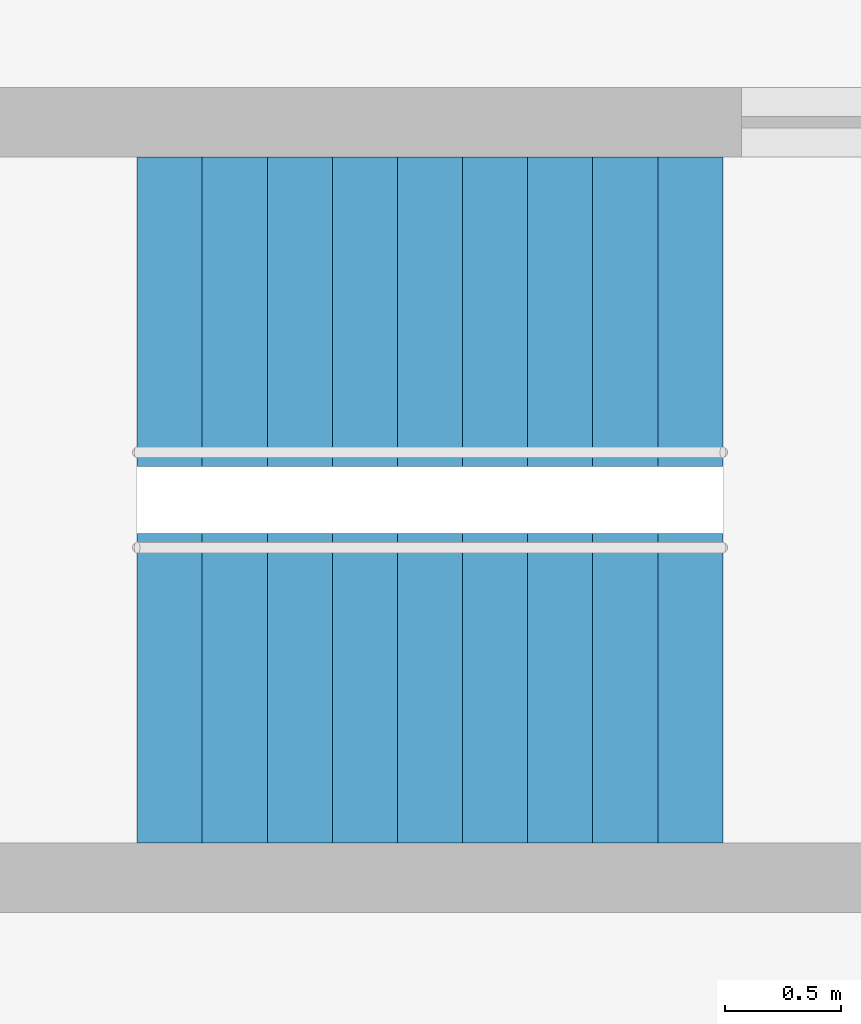
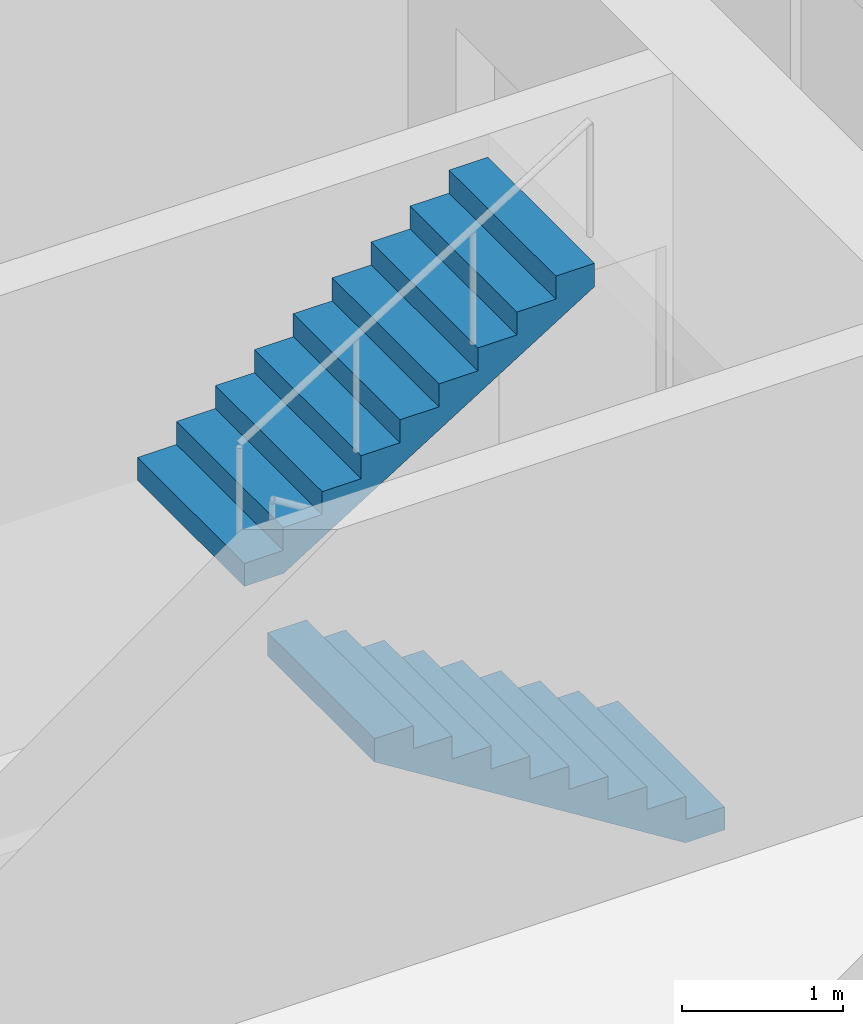
# One storey, part 9 of 10: 2 stair flights, 1 element without a shape of its own.
"""IFC4 building model written with IfcOpenShell, lengths in metres."""

import ifcopenshell
import ifcopenshell.guid

model = None  # the IFC model being written
_history = None  # IfcOwnerHistory: only IFC2X3 demands one
_inside = {}  # id of a spatial element -> (the spatial element, [elements in it])
_under = {}  # id of a project, library or spatial element -> (it, [spatial elements below it])
_declared = {}  # id of a project -> (the project, [libraries it declares])
_typed = {}  # id of a type object -> (the type object, [elements of that type])
_made_of = {}  # id of a material, layer set ... -> (it, [elements and type objects made of it])


def new_model(schema):
    """Start an empty IFC model of exactly this schema.

    Asked for "IFC4X3", IfcOpenShell would pick the latest addendum, in which some entities
    have other attributes; the version numbers below select the first issue.
    IFC2X3 requires an IfcOwnerHistory on every rooted entity: one is made here for all.
    """
    global model, _history
    if schema == "IFC4X3":
        model = ifcopenshell.file(schema_version=(4, 3, 0, 0))
    else:
        model = ifcopenshell.file(schema=schema)
    _inside.clear()
    _under.clear()
    _declared.clear()
    _typed.clear()
    _made_of.clear()
    _history = None
    if model.schema == "IFC2X3":
        org = make("IfcOrganization", Name="unknown")
        user = make(
            "IfcPersonAndOrganization",
            ThePerson=make("IfcPerson", FamilyName="unknown"),
            TheOrganization=org,
        )
        app = make(
            "IfcApplication",
            ApplicationDeveloper=org,
            Version="unknown",
            ApplicationFullName="unknown",
            ApplicationIdentifier="unknown",
        )
        _history = make(
            "IfcOwnerHistory",
            OwningUser=user,
            OwningApplication=app,
            ChangeAction="ADDED",
            CreationDate=0,
        )
    return model


def make(cls, **values):
    """One entity of the class cls with the attributes given. An attribute that is None is left unset."""
    return model.create_entity(
        cls, **{name: value for name, value in values.items() if value is not None}
    )


def rooted(cls, **values):
    """An entity with a GlobalId (a new one), such as an element, a storey or a relation."""
    return make(cls, GlobalId=ifcopenshell.guid.new(), OwnerHistory=_history, **values)


def si_unit(unit_type, name, prefix=None):
    """IfcSIUnit, for example si_unit("LENGTHUNIT", "METRE", prefix="MILLI")."""
    return make("IfcSIUnit", UnitType=unit_type, Prefix=prefix, Name=name)


def assignment(units):
    """IfcUnitAssignment: the units of a project."""
    return None if units is None else make("IfcUnitAssignment", Units=units)


def point(xyz):
    """IfcCartesianPoint."""
    return None if xyz is None else make("IfcCartesianPoint", Coordinates=xyz)


def direction(xyz):
    """IfcDirection."""
    return None if xyz is None else make("IfcDirection", DirectionRatios=xyz)


def frame(location, z_axis=None, x_axis=None):
    """IfcAxis2Placement3D, a coordinate frame: its origin and axes. An axis left out is left unset."""
    return make(
        "IfcAxis2Placement3D",
        Location=point(location),
        Axis=direction(z_axis),
        RefDirection=direction(x_axis),
    )


def origin():
    """The frame at (0, 0, 0) with its axes left unset."""
    return frame((0.0, 0.0, 0.0))


def place(relative_to, where):
    """IfcLocalPlacement: puts the frame where relative to a parent placement (None: the world)."""
    return make(
        "IfcLocalPlacement", PlacementRelTo=relative_to, RelativePlacement=where
    )


def context(
    kind, dimensions, precision=None, world=None, true_north=None, identifier=None
):
    """IfcGeometricRepresentationContext, for example the 3D "Model" context."""
    return make(
        "IfcGeometricRepresentationContext",
        ContextIdentifier=identifier,
        ContextType=kind,
        CoordinateSpaceDimension=dimensions,
        Precision=precision,
        WorldCoordinateSystem=world,
        TrueNorth=true_north,
    )


def subcontext(parent, identifier, kind, view, scale=None):
    """IfcGeometricRepresentationSubContext, for example "Body" below "Model"."""
    return make(
        "IfcGeometricRepresentationSubContext",
        ContextIdentifier=identifier,
        ContextType=kind,
        ParentContext=parent,
        TargetScale=scale,
        TargetView=view,
    )


def project(units=None, contexts=None):
    """IfcProject with its units and contexts."""
    return rooted(
        "IfcProject",
        Name="project",
        RepresentationContexts=contexts,
        UnitsInContext=assignment(units),
    )


def spatial(cls, under=None, at=None, **own):
    """A site, building, storey or space (cls), placed at a placement, below another one or the project."""
    s = rooted(cls, ObjectPlacement=at, **own)
    if under is not None:
        _under.setdefault(under.id(), (under, []))[1].append(s)
    return s


def polyline(points):
    """IfcPolyline through the points."""
    return make("IfcPolyline", Points=[point(p) for p in points])


def outline(outer, holes=None, kind="AREA"):
    """IfcArbitraryClosedProfileDef: a profile drawn as a closed curve; with holes, ...WithVoids."""
    if holes is None:
        return make("IfcArbitraryClosedProfileDef", ProfileType=kind, OuterCurve=outer)
    return make(
        "IfcArbitraryProfileDefWithVoids",
        ProfileType=kind,
        OuterCurve=outer,
        InnerCurves=holes,
    )


def extrude(swept, where, along, depth):
    """IfcExtrudedAreaSolid: the profile swept, set in the frame where, extruded along a direction by depth."""
    return make(
        "IfcExtrudedAreaSolid",
        SweptArea=swept,
        Position=where,
        ExtrudedDirection=direction(along),
        Depth=depth,
    )


def shape(context_of_items, identifier, shape_type, items):
    """IfcShapeRepresentation: the items that make up one representation, for example the "Body"."""
    return make(
        "IfcShapeRepresentation",
        ContextOfItems=context_of_items,
        RepresentationIdentifier=identifier,
        RepresentationType=shape_type,
        Items=items,
    )


def material(Name=None, Category=None):
    """IfcMaterial."""
    return make("IfcMaterial", Name=Name, Category=Category)


def made_of(thing, what):
    """Note that an element or type object is made of a material, layer set ...; save() writes the relation."""
    if what is not None:
        _made_of.setdefault(what.id(), (what, []))[1].append(thing)
    return thing


def type_object(cls, material=None, **own):
    """A type object (cls), such as IfcWallType, which elements share."""
    return made_of(rooted(cls, **own), material)


def element(
    cls,
    number,
    at=None,
    inside=None,
    cuts=None,
    type_object=None,
    material=None,
    context=None,
    identifier="Body",
    shape_type=None,
    held_by="IfcProductDefinitionShape",
    body=None,
    shapes=None,
    **own,
):
    """One element of the class cls, such as IfcWall. Its Tag is "e" and its number.

    at: its placement. inside: the storey or other place that contains it. cuts: it is an
    opening in that element (IfcRelVoidsElement). A single representation is given by context,
    identifier, shape_type and body (its items); several are given by shapes. held_by: the class
    of the entity that holds the representations. save() writes the other relations.
    """
    e = rooted(cls, Tag="e%d" % number, ObjectPlacement=at, **own)
    if body is not None:
        shapes = [shape(context, identifier, shape_type, body)]
    if shapes is not None:
        e.Representation = make(held_by, Representations=shapes)
    if inside is not None:
        _inside.setdefault(inside.id(), (inside, []))[1].append(e)
    if cuts is not None:
        rooted(
            "IfcRelVoidsElement", RelatingBuildingElement=cuts, RelatedOpeningElement=e
        )
    if type_object is not None:
        _typed.setdefault(type_object.id(), (type_object, []))[1].append(e)
    return made_of(e, material)


def aggregate(whole, parts):
    """IfcRelAggregates: a whole, such as a stair, and the parts it consists of."""
    return rooted("IfcRelAggregates", RelatingObject=whole, RelatedObjects=parts)


def save(model, path):
    """Write the relations noted so far, then the file.

    IfcRelAggregates (storeys below a building ...), IfcRelContainedInSpatialStructure (elements
    in a storey), IfcRelDefinesByType, IfcRelAssociatesMaterial and IfcRelDeclares: one each for
    every whole, place, type object, material and project.
    """
    for whole, parts in _under.values():
        aggregate(whole, parts)
    for where, things in _inside.values():
        rooted(
            "IfcRelContainedInSpatialStructure",
            RelatedElements=things,
            RelatingStructure=where,
        )
    for kind, things in _typed.values():
        rooted("IfcRelDefinesByType", RelatedObjects=things, RelatingType=kind)
    for what, things in _made_of.values():
        rooted("IfcRelAssociatesMaterial", RelatedObjects=things, RelatingMaterial=what)
    for by, libraries in _declared.values():
        rooted("IfcRelDeclares", RelatingContext=by, RelatedDefinitions=libraries)
    model.write(path)


model = new_model("IFC4")

# Units and contexts
model_context = context("Model", 3, precision=1e-05, world=origin(), true_north=direction((0.0, 1.0)))
body_context = subcontext(model_context, "Body", "Model", "MODEL_VIEW")
ifc_project = project(units=[si_unit("LENGTHUNIT", "METRE"), si_unit("AREAUNIT", "SQUARE_METRE"), si_unit("VOLUMEUNIT", "CUBIC_METRE"), si_unit("PLANEANGLEUNIT", "RADIAN"), si_unit("MASSUNIT", "GRAM", prefix="KILO")], contexts=[model_context])

# Site, building, storey
site_placement = place(None, origin())
site = spatial("IfcSite", under=ifc_project, at=site_placement, CompositionType="ELEMENT")
building_placement = place(site_placement, origin())
building = spatial("IfcBuilding", under=site, at=building_placement, Name="Turquesa Mirador Hotel Tower", CompositionType="ELEMENT")
storey_placement = place(building_placement, frame((0.0, 0.0, 179.300048828125)))
storey = spatial("IfcBuildingStorey", under=building, at=storey_placement, Name="L48", CompositionType="ELEMENT", Elevation=179.300048828125)

# Stair, stair flights
ifc_material_1 = material(Name="Concrete C35/45", Category="concrete")
stair_type = type_object("IfcStairType", Name="ESCAPE STAIR CORE", PredefinedType="HALF_TURN_STAIR", material=ifc_material_1)
stair_placement = place(storey_placement, origin())
stair = element("IfcStair", 1, at=stair_placement, inside=storey, type_object=stair_type, Name="Stair ST3 L48 to L49", PredefinedType="HALF_TURN_STAIR")
ifc_material_2 = material(Name="Concrete C35/45 precast flight", Category="concrete")
stair_flight_type = type_object("IfcStairFlightType", Name="STAIR FLIGHT 1330", PredefinedType="STRAIGHT", material=ifc_material_2)
stair_flight_1_placement = place(storey_placement, frame((63.070068359375, 45.81494140625, 0.0), z_axis=(0.0, 0.0, 1.0), x_axis=(-1.0, 0.0, 0.0)))
stair_flight_1 = element("IfcStairFlight", 2, at=stair_flight_1_placement, type_object=stair_flight_type, Name="ST3 flight 1", NumberOfRisers=10, NumberOfTreads=9, PredefinedType="STRAIGHT", RiserHeight=0.175, TreadLength=0.28, context=body_context, shape_type="SweptSolid", body=[
    extrude(outline(polyline([(0.0, 0.0), (0.0, 0.175048828125), (0.280029296875, 0.175048828125), (0.280029296875, 0.35009765625), (0.56005859375, 0.35009765625), (0.56005859375, 0.52490234375), (0.840087890625, 0.52490234375), (0.840087890625, 0.699951171875), (1.1201171875, 0.699951171875), (1.1201171875, 0.875), (1.39990234375, 0.875), (1.39990234375, 1.050048828125), (1.679931640625, 1.050048828125), (1.679931640625, 1.22509765625), (1.9599609375, 1.22509765625), (1.9599609375, 1.39990234375), (2.239990234375, 1.39990234375), (2.239990234375, 1.574951171875), (2.52001953125, 1.574951171875), (2.52001953125, 1.75), (2.52001953125, 1.398193359375), (0.28271484375, 0.0), (0.0, 0.0)])), frame((0.0, 0.6650390625, 0.0), z_axis=(0.0, -1.0, 0.0), x_axis=(1.0, 0.0, 0.0)), (0.0, 0.0, 1.0), 1.330078125),
])
stair_flight_2_placement = place(storey_placement, frame((60.550048828125, 47.43505859375, 1.75), z_axis=(0.0, 0.0, 1.0), x_axis=(1.0, 0.0, 0.0)))
stair_flight_2 = element("IfcStairFlight", 3, at=stair_flight_2_placement, type_object=stair_flight_type, Name="ST3 flight 2", NumberOfRisers=10, NumberOfTreads=9, PredefinedType="STRAIGHT", RiserHeight=0.175, TreadLength=0.28, context=body_context, shape_type="SweptSolid", body=[
    extrude(outline(polyline([(0.0, 0.0), (0.0, 0.175048828125), (0.280029296875, 0.175048828125), (0.280029296875, 0.35009765625), (0.56005859375, 0.35009765625), (0.56005859375, 0.52490234375), (0.840087890625, 0.52490234375), (0.840087890625, 0.699951171875), (1.1201171875, 0.699951171875), (1.1201171875, 0.875), (1.39990234375, 0.875), (1.39990234375, 1.050048828125), (1.679931640625, 1.050048828125), (1.679931640625, 1.22509765625), (1.9599609375, 1.22509765625), (1.9599609375, 1.39990234375), (2.239990234375, 1.39990234375), (2.239990234375, 1.574951171875), (2.52001953125, 1.574951171875), (2.52001953125, 1.75), (2.52001953125, 1.398193359375), (0.28271484375, 0.0), (0.0, 0.0)])), frame((0.0, 0.6650390625, 0.0), z_axis=(0.0, -1.0, 0.0), x_axis=(1.0, 0.0, 0.0)), (0.0, 0.0, 1.0), 1.330078125),
])
aggregate(stair, [stair_flight_1, stair_flight_2])

save(model, "model.ifc")
